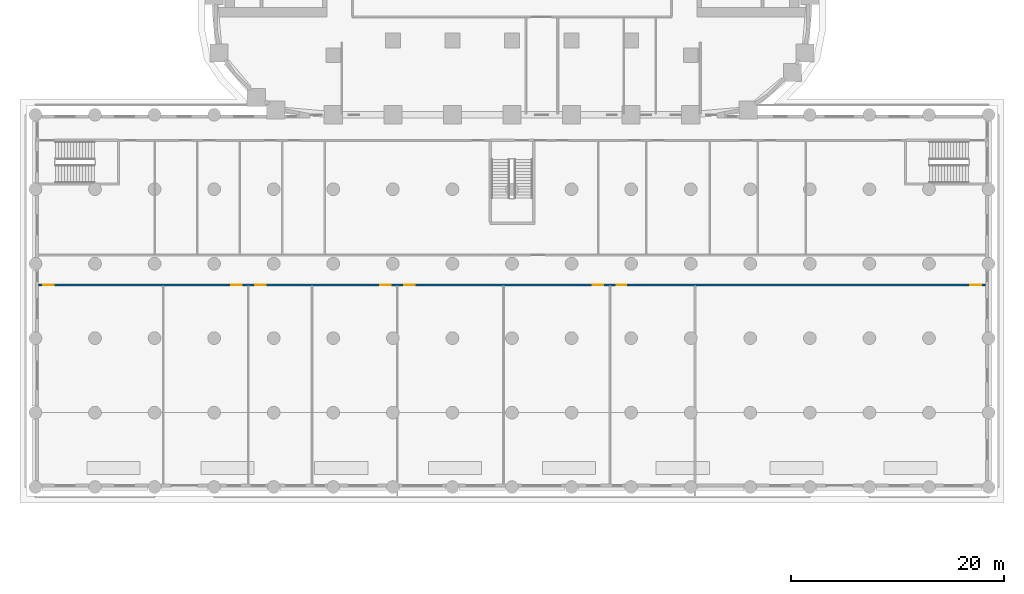
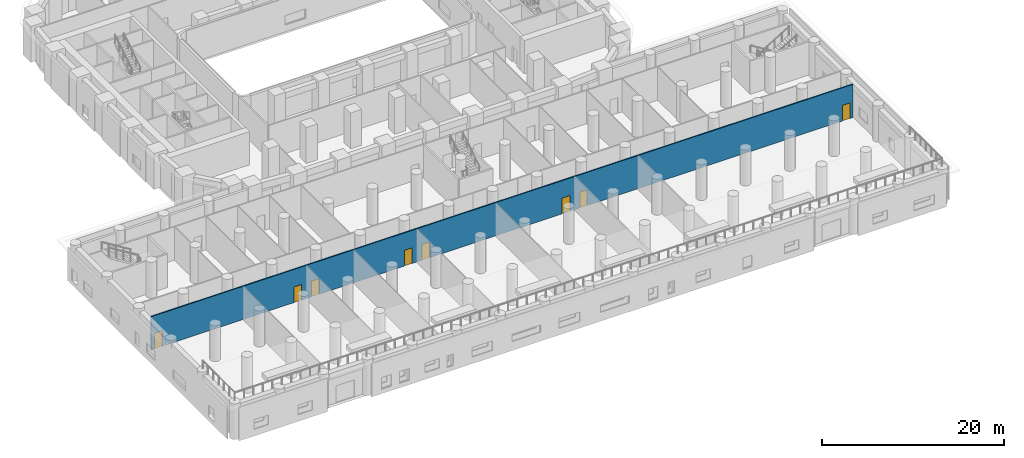
# One storey, part 8 of 27: 8 doors, 1 wall, 8 openings.
"""IFC4 building model written with IfcOpenShell, lengths in metres."""

from ifc_helpers import new_model, si_unit, direction, frame, frame_2d, origin, place, context, subcontext, project, spatial, rectangle, extrude, material, layer, layer_set, type_object, element, fill, save


model = new_model("IFC4")

# Units and contexts
model_context = context("Model", 3, precision=1e-05, world=origin(), true_north=direction((0.0, 1.0)))
body_context = subcontext(model_context, "Body", "Model", "MODEL_VIEW")
ifc_project = project(units=[si_unit("LENGTHUNIT", "METRE"), si_unit("AREAUNIT", "SQUARE_METRE"), si_unit("VOLUMEUNIT", "CUBIC_METRE"), si_unit("PLANEANGLEUNIT", "RADIAN"), si_unit("MASSUNIT", "GRAM", prefix="KILO")], contexts=[model_context])

# Site, building, storey
site_placement = place(None, origin())
site = spatial("IfcSite", under=ifc_project, at=site_placement, CompositionType="ELEMENT")
building_placement = place(site_placement, origin())
building = spatial("IfcBuilding", under=site, at=building_placement, Name="Kiln Ring Residences", CompositionType="ELEMENT")
storey_placement = place(building_placement, frame((0.0, 0.0, 6.5)))
storey = spatial("IfcBuildingStorey", under=building, at=storey_placement, Name="L01", CompositionType="ELEMENT", Elevation=6.5)

# Wall, openings, doors
ifc_material_1 = material(Name="Brick masonry partition", Category="masonry")
ifc_layer = layer(ifc_material_1, 0.14990234375)
ifc_layer_set = layer_set([ifc_layer], Name="PARTITION-150-ei60")
wall_type = type_object("IfcWallType", Name="PARTITION-150-ei60", PredefinedType="PARTITIONING", material=ifc_layer_set)
wall_placement = place(storey_placement, frame((-44.47998046875, -38.39990234375, 0.0), z_axis=(0.0, 0.0, 1.0), x_axis=(1.0, 0.0, 0.0)))
wall = element("IfcWall", 1, at=wall_placement, inside=storey, type_object=wall_type, Name="Partition 000", PredefinedType="PARTITIONING", context=body_context, shape_type="SweptSolid", body=[
    extrude(rectangle(XDim=88.9599609375, YDim=0.14990234375, at=frame_2d((44.47998046875, 0.0))), origin(), (0.0, 0.0, 1.0), 4.449951171875),
])
opening_1_placement = place(wall_placement, frame((0.419921875, 0.0, 0.0)))
opening_1 = element("IfcOpeningElement", 2, at=opening_1_placement, cuts=wall, Name="Opening L01-D023", PredefinedType="OPENING", context=body_context, shape_type="SweptSolid", body=[
    extrude(rectangle(XDim=1.0, YDim=2.10009765625, at=frame_2d((0.5, 1.050048828125))), frame((0.0, 0.0849609375, 0.0), z_axis=(0.0, -1.0, 0.0), x_axis=(1.0, 0.0, 0.0)), (0.0, 0.0, 1.0), 0.169921875),
])
opening_2_placement = place(wall_placement, frame((18.080078125, 0.0, 0.0)))
opening_2 = element("IfcOpeningElement", 3, at=opening_2_placement, cuts=wall, Name="Opening L01-D024", PredefinedType="OPENING", context=body_context, shape_type="SweptSolid", body=[
    extrude(rectangle(XDim=1.0, YDim=2.10009765625, at=frame_2d((0.5, 1.050048828125))), frame((0.0, 0.0849609375, 0.0), z_axis=(0.0, -1.0, 0.0), x_axis=(1.0, 0.0, 0.0)), (0.0, 0.0, 1.0), 0.169921875),
])
opening_3_placement = place(wall_placement, frame((20.330078125, 0.0, 0.0)))
opening_3 = element("IfcOpeningElement", 4, at=opening_3_placement, cuts=wall, Name="Opening L01-D025", PredefinedType="OPENING", context=body_context, shape_type="SweptSolid", body=[
    extrude(rectangle(XDim=1.0, YDim=2.10009765625, at=frame_2d((0.5, 1.050048828125))), frame((0.0, 0.0849609375, 0.0), z_axis=(0.0, -1.0, 0.0), x_axis=(1.0, 0.0, 0.0)), (0.0, 0.0, 1.0), 0.169921875),
])
opening_4_placement = place(wall_placement, frame((32.080078125, 0.0, 0.0)))
opening_4 = element("IfcOpeningElement", 5, at=opening_4_placement, cuts=wall, Name="Opening L01-D026", PredefinedType="OPENING", context=body_context, shape_type="SweptSolid", body=[
    extrude(rectangle(XDim=1.0, YDim=2.10009765625, at=frame_2d((0.5, 1.050048828125))), frame((0.0, 0.0849609375, 0.0), z_axis=(0.0, -1.0, 0.0), x_axis=(1.0, 0.0, 0.0)), (0.0, 0.0, 1.0), 0.169921875),
])
opening_5_placement = place(wall_placement, frame((34.330078125, 0.0, 0.0)))
opening_5 = element("IfcOpeningElement", 6, at=opening_5_placement, cuts=wall, Name="Opening L01-D027", PredefinedType="OPENING", context=body_context, shape_type="SweptSolid", body=[
    extrude(rectangle(XDim=1.0, YDim=2.10009765625, at=frame_2d((0.5, 1.050048828125))), frame((0.0, 0.0849609375, 0.0), z_axis=(0.0, -1.0, 0.0), x_axis=(1.0, 0.0, 0.0)), (0.0, 0.0, 1.0), 0.169921875),
])
opening_6_placement = place(wall_placement, frame((52.080078125, 0.0, 0.0)))
opening_6 = element("IfcOpeningElement", 7, at=opening_6_placement, cuts=wall, Name="Opening L01-D028", PredefinedType="OPENING", context=body_context, shape_type="SweptSolid", body=[
    extrude(rectangle(XDim=1.0, YDim=2.10009765625, at=frame_2d((0.5, 1.050048828125))), frame((0.0, 0.0849609375, 0.0), z_axis=(0.0, -1.0, 0.0), x_axis=(1.0, 0.0, 0.0)), (0.0, 0.0, 1.0), 0.169921875),
])
opening_7_placement = place(wall_placement, frame((54.330078125, 0.0, 0.0)))
opening_7 = element("IfcOpeningElement", 8, at=opening_7_placement, cuts=wall, Name="Opening L01-D029", PredefinedType="OPENING", context=body_context, shape_type="SweptSolid", body=[
    extrude(rectangle(XDim=0.89990234375, YDim=2.10009765625, at=frame_2d((0.449951171875, 1.050048828125))), frame((0.0, 0.0849609375, 0.0), z_axis=(0.0, -1.0, 0.0), x_axis=(1.0, 0.0, 0.0)), (0.0, 0.0, 1.0), 0.169921875),
])
opening_8_placement = place(wall_placement, frame((87.580078125, 0.0, 0.0)))
opening_8 = element("IfcOpeningElement", 9, at=opening_8_placement, cuts=wall, Name="Opening L01-D030", PredefinedType="OPENING", context=body_context, shape_type="SweptSolid", body=[
    extrude(rectangle(XDim=1.0, YDim=2.10009765625, at=frame_2d((0.5, 1.050048828125))), frame((0.0, 0.0849609375, 0.0), z_axis=(0.0, -1.0, 0.0), x_axis=(1.0, 0.0, 0.0)), (0.0, 0.0, 1.0), 0.169921875),
])
ifc_material_2 = material(Name="Steel faced fire door leaf", Category="steel")
door_type_1 = type_object("IfcDoorType", Name="FLAT-DOOR-1000-FR", OperationType="SINGLE_SWING_LEFT", PredefinedType="DOOR", material=ifc_material_2)
door_1_placement = place(opening_1_placement, origin())
door_1 = element("IfcDoor", 10, at=door_1_placement, inside=storey, type_object=door_type_1, Name="Door L01-D023", OperationType="SINGLE_SWING_LEFT", OverallHeight=2.10009765625, OverallWidth=1.0, PredefinedType="DOOR", context=body_context, shape_type="SweptSolid", body=[
    extrude(rectangle(XDim=1.0, YDim=2.10009765625, at=frame_2d((0.5, 1.050048828125))), frame((0.0, 0.02490234375, 0.0), z_axis=(0.0, -1.0, 0.0), x_axis=(1.0, 0.0, 0.0)), (0.0, 0.0, 1.0), 0.050048828125),
])
fill(opening_1, door_1)
door_2_placement = place(opening_2_placement, origin())
door_2 = element("IfcDoor", 11, at=door_2_placement, inside=storey, type_object=door_type_1, Name="Door L01-D024", OperationType="SINGLE_SWING_RIGHT", OverallHeight=2.10009765625, OverallWidth=1.0, PredefinedType="DOOR", context=body_context, shape_type="SweptSolid", body=[
    extrude(rectangle(XDim=1.0, YDim=2.10009765625, at=frame_2d((0.5, 1.050048828125))), frame((0.0, 0.02490234375, 0.0), z_axis=(0.0, -1.0, 0.0), x_axis=(1.0, 0.0, 0.0)), (0.0, 0.0, 1.0), 0.050048828125),
])
fill(opening_2, door_2)
door_3_placement = place(opening_3_placement, origin())
door_3 = element("IfcDoor", 12, at=door_3_placement, inside=storey, type_object=door_type_1, Name="Door L01-D025", OperationType="SINGLE_SWING_LEFT", OverallHeight=2.10009765625, OverallWidth=1.0, PredefinedType="DOOR", context=body_context, shape_type="SweptSolid", body=[
    extrude(rectangle(XDim=1.0, YDim=2.10009765625, at=frame_2d((0.5, 1.050048828125))), frame((0.0, 0.02490234375, 0.0), z_axis=(0.0, -1.0, 0.0), x_axis=(1.0, 0.0, 0.0)), (0.0, 0.0, 1.0), 0.050048828125),
])
fill(opening_3, door_3)
door_4_placement = place(opening_4_placement, origin())
door_4 = element("IfcDoor", 13, at=door_4_placement, inside=storey, type_object=door_type_1, Name="Door L01-D026", OperationType="SINGLE_SWING_RIGHT", OverallHeight=2.10009765625, OverallWidth=1.0, PredefinedType="DOOR", context=body_context, shape_type="SweptSolid", body=[
    extrude(rectangle(XDim=1.0, YDim=2.10009765625, at=frame_2d((0.5, 1.050048828125))), frame((0.0, 0.02490234375, 0.0), z_axis=(0.0, -1.0, 0.0), x_axis=(1.0, 0.0, 0.0)), (0.0, 0.0, 1.0), 0.050048828125),
])
fill(opening_4, door_4)
door_5_placement = place(opening_5_placement, origin())
door_5 = element("IfcDoor", 14, at=door_5_placement, inside=storey, type_object=door_type_1, Name="Door L01-D027", OperationType="SINGLE_SWING_LEFT", OverallHeight=2.10009765625, OverallWidth=1.0, PredefinedType="DOOR", context=body_context, shape_type="SweptSolid", body=[
    extrude(rectangle(XDim=1.0, YDim=2.10009765625, at=frame_2d((0.5, 1.050048828125))), frame((0.0, 0.02490234375, 0.0), z_axis=(0.0, -1.0, 0.0), x_axis=(1.0, 0.0, 0.0)), (0.0, 0.0, 1.0), 0.050048828125),
])
fill(opening_5, door_5)
door_6_placement = place(opening_6_placement, origin())
door_6 = element("IfcDoor", 15, at=door_6_placement, inside=storey, type_object=door_type_1, Name="Door L01-D028", OperationType="SINGLE_SWING_RIGHT", OverallHeight=2.10009765625, OverallWidth=1.0, PredefinedType="DOOR", context=body_context, shape_type="SweptSolid", body=[
    extrude(rectangle(XDim=1.0, YDim=2.10009765625, at=frame_2d((0.5, 1.050048828125))), frame((0.0, 0.02490234375, 0.0), z_axis=(0.0, -1.0, 0.0), x_axis=(1.0, 0.0, 0.0)), (0.0, 0.0, 1.0), 0.050048828125),
])
fill(opening_6, door_6)
door_7_placement = place(opening_8_placement, origin())
door_7 = element("IfcDoor", 16, at=door_7_placement, inside=storey, type_object=door_type_1, Name="Door L01-D030", OperationType="SINGLE_SWING_RIGHT", OverallHeight=2.10009765625, OverallWidth=1.0, PredefinedType="DOOR", context=body_context, shape_type="SweptSolid", body=[
    extrude(rectangle(XDim=1.0, YDim=2.10009765625, at=frame_2d((0.5, 1.050048828125))), frame((0.0, 0.02490234375, 0.0), z_axis=(0.0, -1.0, 0.0), x_axis=(1.0, 0.0, 0.0)), (0.0, 0.0, 1.0), 0.050048828125),
])
fill(opening_8, door_7)
ifc_material_3 = material(Name="Steel faced fire door leaf", Category="steel")
door_type_2 = type_object("IfcDoorType", Name="FLAT-DOOR-900-FR", OperationType="SINGLE_SWING_LEFT", PredefinedType="DOOR", material=ifc_material_3)
door_8_placement = place(opening_7_placement, origin())
door_8 = element("IfcDoor", 17, at=door_8_placement, inside=storey, type_object=door_type_2, Name="Door L01-D029", OperationType="SINGLE_SWING_LEFT", OverallHeight=2.10009765625, OverallWidth=0.89990234375, PredefinedType="DOOR", context=body_context, shape_type="SweptSolid", body=[
    extrude(rectangle(XDim=0.89990234375, YDim=2.10009765625, at=frame_2d((0.449951171875, 1.050048828125))), frame((0.0, 0.02490234375, 0.0), z_axis=(0.0, -1.0, 0.0), x_axis=(1.0, 0.0, 0.0)), (0.0, 0.0, 1.0), 0.050048828125),
])
fill(opening_7, door_8)

save(model, "model.ifc")
